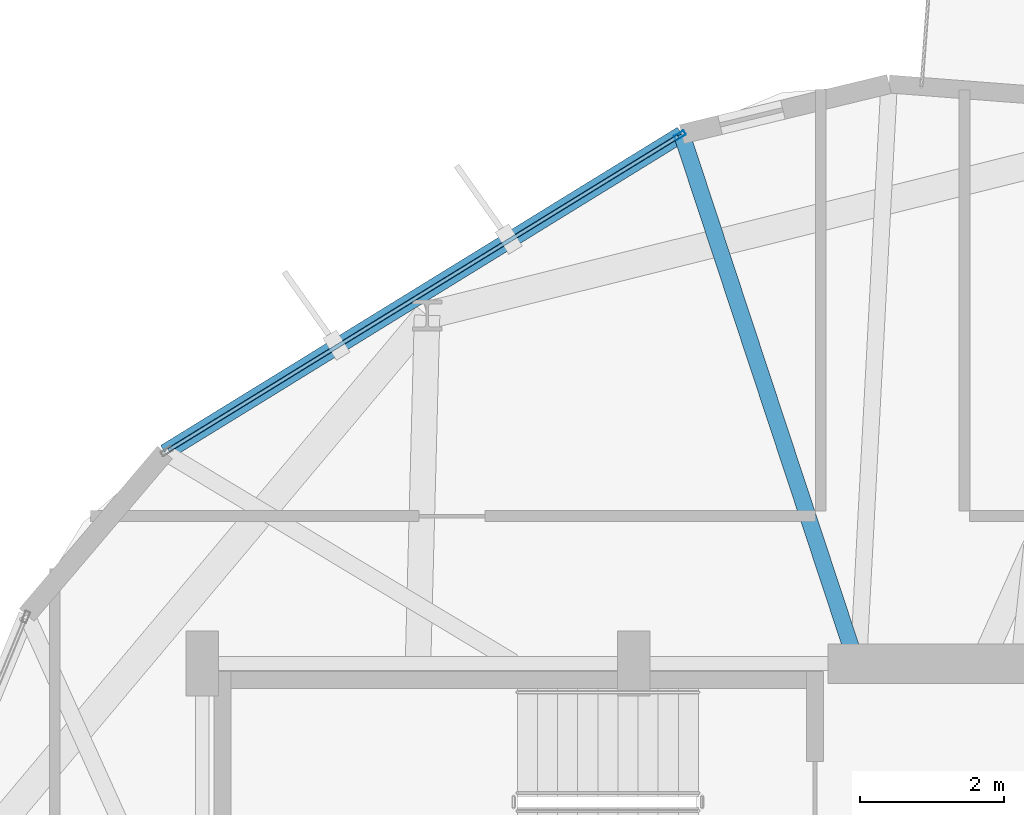
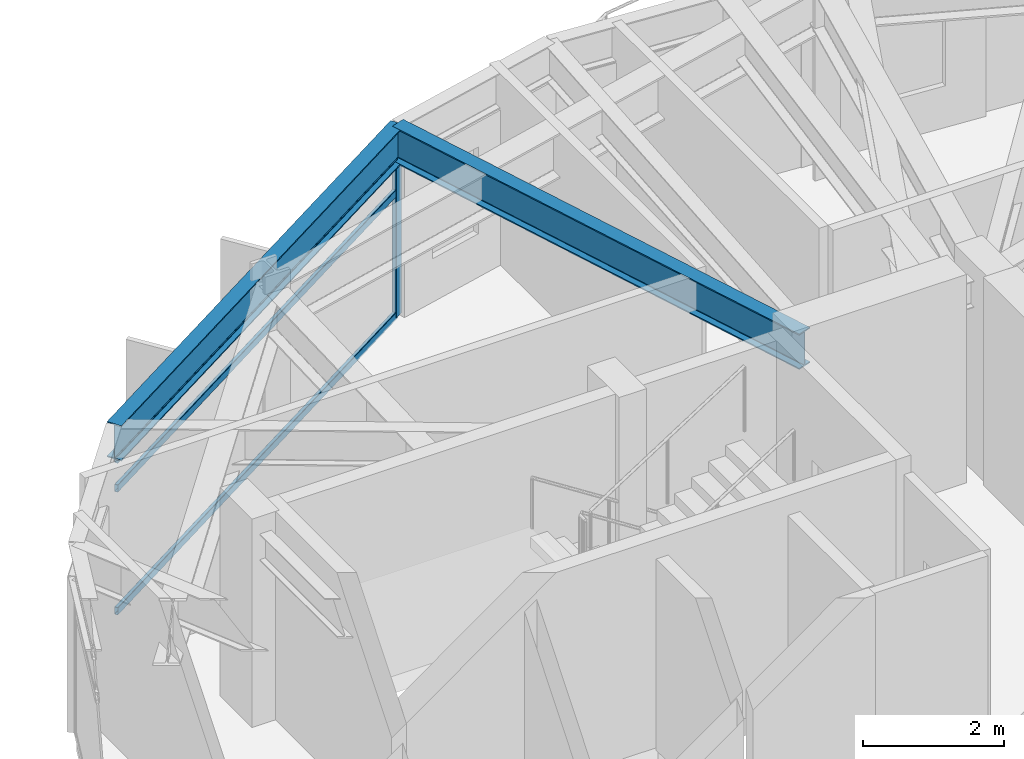
# One storey, part 11 of 21: 4 members, 2 beams, 1 element without a shape of its own.
"""IFC4 building model written with IfcOpenShell, lengths in metres."""

from ifc_helpers import new_model, si_unit, direction, frame, origin, origin_2d, place, context, subcontext, project, spatial, hollow_rectangle, i_section, extrude, material, layer, layer_set, material_profile, profile_set, type_object, element, aggregate, save


model = new_model("IFC4")

# Units and contexts
model_context = context("Model", 3, precision=1e-05, world=origin(), true_north=direction((0.0, 1.0)))
body_context = subcontext(model_context, "Body", "Model", "MODEL_VIEW")
ifc_project = project(units=[si_unit("LENGTHUNIT", "METRE"), si_unit("AREAUNIT", "SQUARE_METRE"), si_unit("VOLUMEUNIT", "CUBIC_METRE"), si_unit("PLANEANGLEUNIT", "RADIAN"), si_unit("MASSUNIT", "GRAM", prefix="KILO")], contexts=[model_context])

# Site, building, storey
site_placement = place(None, origin())
site = spatial("IfcSite", under=ifc_project, at=site_placement, CompositionType="ELEMENT")
building_placement = place(site_placement, origin())
building = spatial("IfcBuilding", under=site, at=building_placement, Name="Soratama Intermodal Tower", CompositionType="ELEMENT")
storey_placement = place(building_placement, frame((0.0, 0.0, 149.800048828125)))
storey = spatial("IfcBuildingStorey", under=building, at=storey_placement, Name="L36", CompositionType="ELEMENT", Elevation=149.800048828125)

# Beams
ifc_material_1 = material(Name="Structural steel ASTM A992 Grade 50", Category="steel")
ifc_material_profile_1 = material_profile(ifc_material_1, i_section(OverallWidth=0.22900390625, OverallDepth=0.612060546875, WebThickness=0.011962890625, FlangeThickness=0.01953125, FilletRadius=0.012939453125, at=origin_2d()), Name="W24X84")
ifc_profile_set_1 = profile_set([ifc_material_profile_1], Name="Structural steel ASTM A992 Grade 50")
beam_type_1 = type_object("IfcBeamType", Name="BM-SPN-W24X84", PredefinedType="SPANDREL", material=ifc_profile_set_1)
beam_1_placement = place(storey_placement, frame((39.26708984375, 42.360107421875, 2.993896484375), z_axis=(-0.851538119011, -0.524292696755, 0.0), x_axis=(0.524292696755, -0.851538119011, 0.0)))
element("IfcBeam", 1, at=beam_1_placement, inside=storey, type_object=beam_type_1, Name="BS-L36-F03", PredefinedType="SPANDREL", context=body_context, shape_type="SweptSolid", body=[
    extrude(i_section(OverallWidth=0.22900390625, OverallDepth=0.612060546875, WebThickness=0.011962890625, FlangeThickness=0.01953125, FilletRadius=0.012939453125, at=origin_2d()), origin(), (0.0, 0.0, 1.0), 8.43994140625),
])
ifc_material_2 = material(Name="Structural steel ASTM A992 Grade 50", Category="steel")
ifc_material_profile_2 = material_profile(ifc_material_2, i_section(OverallWidth=0.22900390625, OverallDepth=0.612060546875, WebThickness=0.011962890625, FlangeThickness=0.01953125, FilletRadius=0.012939453125, at=origin_2d()), Name="W24X84")
ifc_profile_set_2 = profile_set([ifc_material_profile_2], Name="Structural steel ASTM A992 Grade 50")
beam_type_2 = type_object("IfcBeamType", Name="BM-TIE-W24X84", PredefinedType="BEAM", material=ifc_profile_set_2)
beam_2_placement = place(storey_placement, frame((41.68505859375, 35.0380859375, 2.993896484375), z_axis=(-0.313576456549, 0.949562955205, 0.0), x_axis=(-0.949562955205, -0.313576456549, 0.0)))
element("IfcBeam", 2, at=beam_2_placement, inside=storey, type_object=beam_type_2, Name="BM-L36-TIE0-03", PredefinedType="BEAM", context=body_context, shape_type="SweptSolid", body=[
    extrude(i_section(OverallWidth=0.22900390625, OverallDepth=0.612060546875, WebThickness=0.011962890625, FlangeThickness=0.01953125, FilletRadius=0.012939453125, at=origin_2d()), origin(), (0.0, 0.0, 1.0), 7.7109375),
])

# Curtain wall, members
ifc_material_3 = material(Name="Double-glazed aluminium curtain wall", Category="aluminium")
ifc_layer = layer(ifc_material_3, 0.159912109375)
ifc_layer_set = layer_set([ifc_layer], Name="Double-glazed aluminium curtain wall")
curtain_wall_type = type_object("IfcCurtainWallType", Name="CW-SYS-4", PredefinedType="NOTDEFINED", material=ifc_layer_set)
curtain_wall_placement = place(storey_placement, origin())
curtain_wall = element("IfcCurtainWall", 3, at=curtain_wall_placement, inside=storey, type_object=curtain_wall_type, Name="L36 Faceted Curtain Wall F03", PredefinedType="NOTDEFINED")
ifc_material_4 = material(Name="Anodised aluminium AA 6063-T6", Category="aluminium")
ifc_material_profile_3 = material_profile(ifc_material_4, hollow_rectangle(XDim=0.070068359375, YDim=0.159912109375, WallThickness=0.0048828125, InnerFilletRadius=0.0048828125, OuterFilletRadius=0.010009765625, at=origin_2d()), Name="CWM160X70X5")
ifc_profile_set_3 = profile_set([ifc_material_profile_3], Name="Anodised aluminium AA 6063-T6")
member_type_1 = type_object("IfcMemberType", Name="MT-CWM-4", PredefinedType="MULLION", material=ifc_profile_set_3)
member_1_placement = place(storey_placement, frame((39.241943359375, 42.344482421875, 0.0), z_axis=(0.0, 0.0, 1.0), x_axis=(0.524276554696, -0.851548057479, 0.0)))
member_1 = element("IfcMember", 4, at=member_1_placement, type_object=member_type_1, Name="CW-4 mullion 1", PredefinedType="MULLION", context=body_context, shape_type="SweptSolid", body=[
    extrude(hollow_rectangle(XDim=0.070068359375, YDim=0.159912109375, WallThickness=0.0048828125, InnerFilletRadius=0.0048828125, OuterFilletRadius=0.010009765625, at=origin_2d()), origin(), (0.0, 0.0, 1.0), 2.678955078125),
])
ifc_material_5 = material(Name="Anodised aluminium AA 6063-T6", Category="aluminium")
ifc_material_profile_4 = material_profile(ifc_material_5, hollow_rectangle(XDim=0.06005859375, YDim=0.1298828125, WallThickness=0.0048828125, InnerFilletRadius=0.0048828125, OuterFilletRadius=0.010009765625, at=origin_2d()), Name="CWT130X60X5")
ifc_profile_set_4 = profile_set([ifc_material_profile_4], Name="Anodised aluminium AA 6063-T6")
member_type_2 = type_object("IfcMemberType", Name="TT-CWT-2", PredefinedType="USERDEFINED", material=ifc_profile_set_4)
member_2_placement = place(storey_placement, frame((39.21630859375, 42.328857421875, 0.030029296875), z_axis=(-0.851541430262, -0.524287318698, 0.0), x_axis=(0.524287318698, -0.851541430262, 0.0)))
member_2 = element("IfcMember", 5, at=member_2_placement, type_object=member_type_2, Name="CW-4 transom 1.1", ObjectType="TRANSOM", PredefinedType="USERDEFINED", context=body_context, shape_type="SweptSolid", body=[
    extrude(hollow_rectangle(XDim=0.06005859375, YDim=0.1298828125, WallThickness=0.0048828125, InnerFilletRadius=0.0048828125, OuterFilletRadius=0.010009765625, at=origin_2d()), origin(), (0.0, 0.0, 1.0), 8.320556640625),
])
member_3_placement = place(storey_placement, frame((39.21630859375, 42.328857421875, 2.14990234375), z_axis=(-0.851541430262, -0.524287318698, 0.0), x_axis=(0.524287318698, -0.851541430262, 0.0)))
member_3 = element("IfcMember", 6, at=member_3_placement, type_object=member_type_2, Name="CW-4 transom 1.2", ObjectType="TRANSOM", PredefinedType="USERDEFINED", context=body_context, shape_type="SweptSolid", body=[
    extrude(hollow_rectangle(XDim=0.06005859375, YDim=0.1298828125, WallThickness=0.0048828125, InnerFilletRadius=0.0048828125, OuterFilletRadius=0.010009765625, at=origin_2d()), origin(), (0.0, 0.0, 1.0), 8.320556640625),
])
member_4_placement = place(storey_placement, frame((39.21630859375, 42.328857421875, 2.64892578125), z_axis=(-0.851541430262, -0.524287318698, 0.0), x_axis=(0.524287318698, -0.851541430262, 0.0)))
member_4 = element("IfcMember", 7, at=member_4_placement, type_object=member_type_2, Name="CW-4 transom 1.3", ObjectType="TRANSOM", PredefinedType="USERDEFINED", context=body_context, shape_type="SweptSolid", body=[
    extrude(hollow_rectangle(XDim=0.06005859375, YDim=0.1298828125, WallThickness=0.0048828125, InnerFilletRadius=0.0048828125, OuterFilletRadius=0.010009765625, at=origin_2d()), origin(), (0.0, 0.0, 1.0), 8.320556640625),
])
aggregate(curtain_wall, [member_1, member_2, member_3, member_4])

save(model, "model.ifc")
